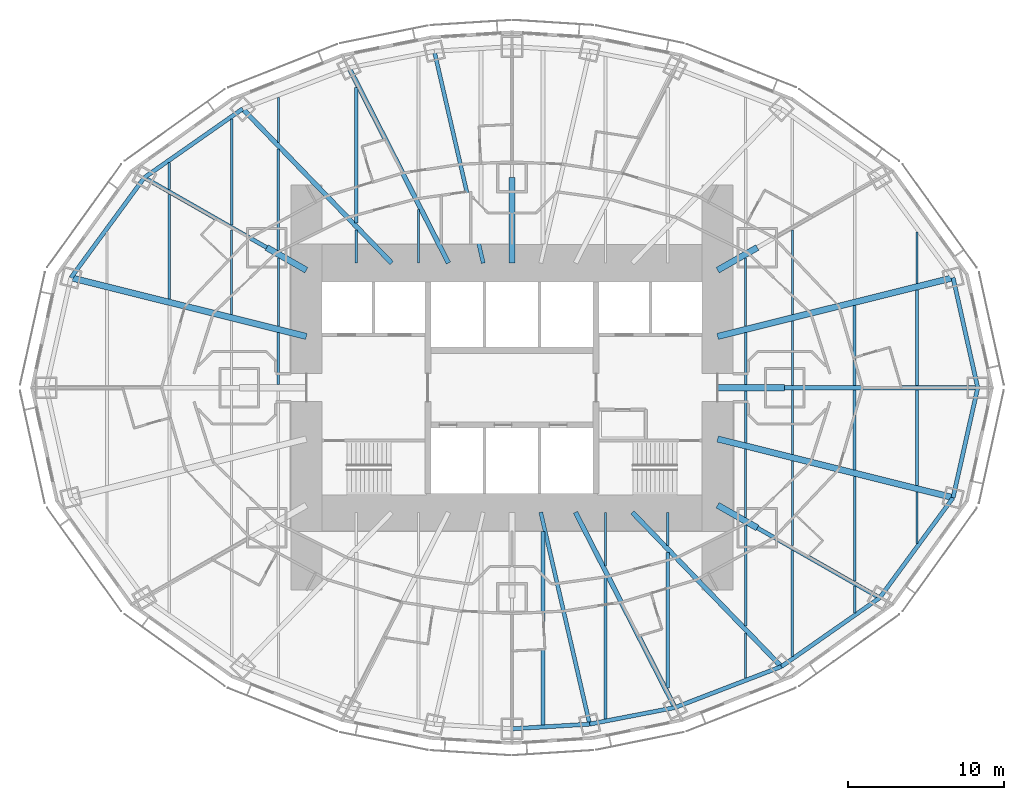
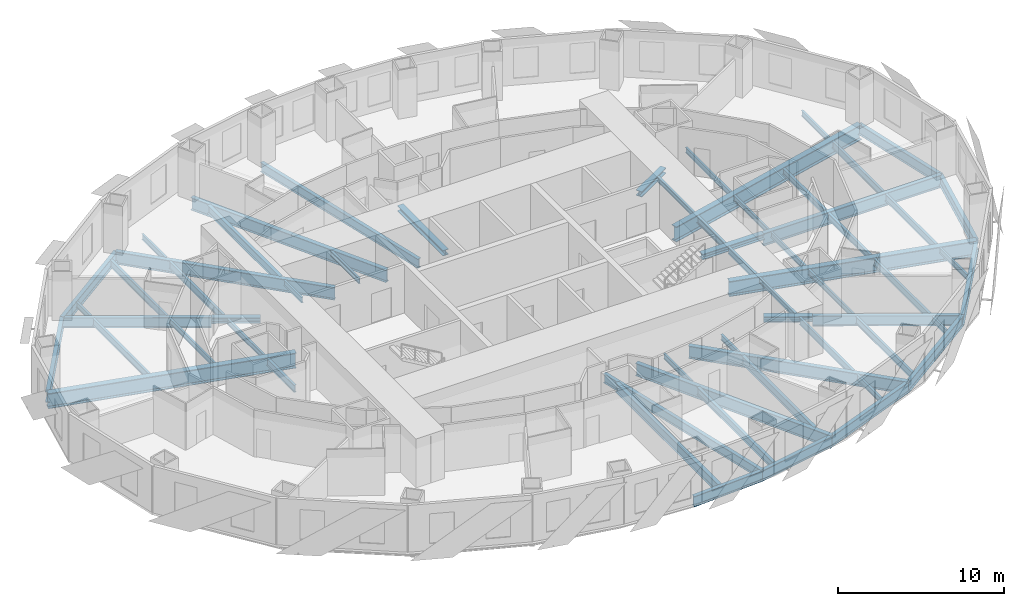
# One storey, part 2 of 15: 61 beams.
"""IFC4 building model written with IfcOpenShell, lengths in metres."""

import ifcopenshell
import ifcopenshell.guid

model = None  # the IFC model being written
_history = None  # IfcOwnerHistory: only IFC2X3 demands one
_inside = {}  # id of a spatial element -> (the spatial element, [elements in it])
_under = {}  # id of a project, library or spatial element -> (it, [spatial elements below it])
_declared = {}  # id of a project -> (the project, [libraries it declares])
_typed = {}  # id of a type object -> (the type object, [elements of that type])
_made_of = {}  # id of a material, layer set ... -> (it, [elements and type objects made of it])


def new_model(schema):
    """Start an empty IFC model of exactly this schema.

    Asked for "IFC4X3", IfcOpenShell would pick the latest addendum, in which some entities
    have other attributes; the version numbers below select the first issue.
    IFC2X3 requires an IfcOwnerHistory on every rooted entity: one is made here for all.
    """
    global model, _history
    if schema == "IFC4X3":
        model = ifcopenshell.file(schema_version=(4, 3, 0, 0))
    else:
        model = ifcopenshell.file(schema=schema)
    _inside.clear()
    _under.clear()
    _declared.clear()
    _typed.clear()
    _made_of.clear()
    _history = None
    if model.schema == "IFC2X3":
        org = make("IfcOrganization", Name="unknown")
        user = make(
            "IfcPersonAndOrganization",
            ThePerson=make("IfcPerson", FamilyName="unknown"),
            TheOrganization=org,
        )
        app = make(
            "IfcApplication",
            ApplicationDeveloper=org,
            Version="unknown",
            ApplicationFullName="unknown",
            ApplicationIdentifier="unknown",
        )
        _history = make(
            "IfcOwnerHistory",
            OwningUser=user,
            OwningApplication=app,
            ChangeAction="ADDED",
            CreationDate=0,
        )
    return model


def make(cls, **values):
    """One entity of the class cls with the attributes given. An attribute that is None is left unset."""
    return model.create_entity(
        cls, **{name: value for name, value in values.items() if value is not None}
    )


def rooted(cls, **values):
    """An entity with a GlobalId (a new one), such as an element, a storey or a relation."""
    return make(cls, GlobalId=ifcopenshell.guid.new(), OwnerHistory=_history, **values)


def si_unit(unit_type, name, prefix=None):
    """IfcSIUnit, for example si_unit("LENGTHUNIT", "METRE", prefix="MILLI")."""
    return make("IfcSIUnit", UnitType=unit_type, Prefix=prefix, Name=name)


def assignment(units):
    """IfcUnitAssignment: the units of a project."""
    return None if units is None else make("IfcUnitAssignment", Units=units)


def point(xyz):
    """IfcCartesianPoint."""
    return None if xyz is None else make("IfcCartesianPoint", Coordinates=xyz)


def direction(xyz):
    """IfcDirection."""
    return None if xyz is None else make("IfcDirection", DirectionRatios=xyz)


def frame(location, z_axis=None, x_axis=None):
    """IfcAxis2Placement3D, a coordinate frame: its origin and axes. An axis left out is left unset."""
    return make(
        "IfcAxis2Placement3D",
        Location=point(location),
        Axis=direction(z_axis),
        RefDirection=direction(x_axis),
    )


def frame_2d(location, x_axis=None):
    """IfcAxis2Placement2D, a coordinate frame in the plane: its origin and x axis."""
    return make(
        "IfcAxis2Placement2D", Location=point(location), RefDirection=direction(x_axis)
    )


def origin():
    """The frame at (0, 0, 0) with its axes left unset."""
    return frame((0.0, 0.0, 0.0))


def origin_2d():
    """The frame at (0, 0) in the plane with its x axis left unset."""
    return frame_2d((0.0, 0.0))


def place(relative_to, where):
    """IfcLocalPlacement: puts the frame where relative to a parent placement (None: the world)."""
    return make(
        "IfcLocalPlacement", PlacementRelTo=relative_to, RelativePlacement=where
    )


def context(
    kind, dimensions, precision=None, world=None, true_north=None, identifier=None
):
    """IfcGeometricRepresentationContext, for example the 3D "Model" context."""
    return make(
        "IfcGeometricRepresentationContext",
        ContextIdentifier=identifier,
        ContextType=kind,
        CoordinateSpaceDimension=dimensions,
        Precision=precision,
        WorldCoordinateSystem=world,
        TrueNorth=true_north,
    )


def subcontext(parent, identifier, kind, view, scale=None):
    """IfcGeometricRepresentationSubContext, for example "Body" below "Model"."""
    return make(
        "IfcGeometricRepresentationSubContext",
        ContextIdentifier=identifier,
        ContextType=kind,
        ParentContext=parent,
        TargetScale=scale,
        TargetView=view,
    )


def project(units=None, contexts=None):
    """IfcProject with its units and contexts."""
    return rooted(
        "IfcProject",
        Name="project",
        RepresentationContexts=contexts,
        UnitsInContext=assignment(units),
    )


def spatial(cls, under=None, at=None, **own):
    """A site, building, storey or space (cls), placed at a placement, below another one or the project."""
    s = rooted(cls, ObjectPlacement=at, **own)
    if under is not None:
        _under.setdefault(under.id(), (under, []))[1].append(s)
    return s


def profile(cls, at=None, kind="AREA", **sizes):
    """A parametric profile (cls). Its sizes go by their IFC names, for example OverallWidth=200.0."""
    return make(cls, ProfileType=kind, Position=at, **sizes)


def i_section(**sizes):
    """IfcIShapeProfileDef."""
    return profile("IfcIShapeProfileDef", **sizes)


def extrude(swept, where, along, depth):
    """IfcExtrudedAreaSolid: the profile swept, set in the frame where, extruded along a direction by depth."""
    return make(
        "IfcExtrudedAreaSolid",
        SweptArea=swept,
        Position=where,
        ExtrudedDirection=direction(along),
        Depth=depth,
    )


def shape(context_of_items, identifier, shape_type, items):
    """IfcShapeRepresentation: the items that make up one representation, for example the "Body"."""
    return make(
        "IfcShapeRepresentation",
        ContextOfItems=context_of_items,
        RepresentationIdentifier=identifier,
        RepresentationType=shape_type,
        Items=items,
    )


def material(Name=None, Category=None):
    """IfcMaterial."""
    return make("IfcMaterial", Name=Name, Category=Category)


def material_profile(
    of_material, cross_section, Name=None, Category=None, Priority=None
):
    """IfcMaterialProfile: a cross section and its material."""
    return make(
        "IfcMaterialProfile",
        Name=Name,
        Material=of_material,
        Profile=cross_section,
        Priority=Priority,
        Category=Category,
    )


def profile_set(profiles, Name=None, composite=None):
    """IfcMaterialProfileSet."""
    return make(
        "IfcMaterialProfileSet",
        Name=Name,
        MaterialProfiles=profiles,
        CompositeProfile=composite,
    )


def made_of(thing, what):
    """Note that an element or type object is made of a material, layer set ...; save() writes the relation."""
    if what is not None:
        _made_of.setdefault(what.id(), (what, []))[1].append(thing)
    return thing


def type_object(cls, material=None, **own):
    """A type object (cls), such as IfcWallType, which elements share."""
    return made_of(rooted(cls, **own), material)


def element(
    cls,
    number,
    at=None,
    inside=None,
    cuts=None,
    type_object=None,
    material=None,
    context=None,
    identifier="Body",
    shape_type=None,
    held_by="IfcProductDefinitionShape",
    body=None,
    shapes=None,
    **own,
):
    """One element of the class cls, such as IfcWall. Its Tag is "e" and its number.

    at: its placement. inside: the storey or other place that contains it. cuts: it is an
    opening in that element (IfcRelVoidsElement). A single representation is given by context,
    identifier, shape_type and body (its items); several are given by shapes. held_by: the class
    of the entity that holds the representations. save() writes the other relations.
    """
    e = rooted(cls, Tag="e%d" % number, ObjectPlacement=at, **own)
    if body is not None:
        shapes = [shape(context, identifier, shape_type, body)]
    if shapes is not None:
        e.Representation = make(held_by, Representations=shapes)
    if inside is not None:
        _inside.setdefault(inside.id(), (inside, []))[1].append(e)
    if cuts is not None:
        rooted(
            "IfcRelVoidsElement", RelatingBuildingElement=cuts, RelatedOpeningElement=e
        )
    if type_object is not None:
        _typed.setdefault(type_object.id(), (type_object, []))[1].append(e)
    return made_of(e, material)


def aggregate(whole, parts):
    """IfcRelAggregates: a whole, such as a stair, and the parts it consists of."""
    return rooted("IfcRelAggregates", RelatingObject=whole, RelatedObjects=parts)


def save(model, path):
    """Write the relations noted so far, then the file.

    IfcRelAggregates (storeys below a building ...), IfcRelContainedInSpatialStructure (elements
    in a storey), IfcRelDefinesByType, IfcRelAssociatesMaterial and IfcRelDeclares: one each for
    every whole, place, type object, material and project.
    """
    for whole, parts in _under.values():
        aggregate(whole, parts)
    for where, things in _inside.values():
        rooted(
            "IfcRelContainedInSpatialStructure",
            RelatedElements=things,
            RelatingStructure=where,
        )
    for kind, things in _typed.values():
        rooted("IfcRelDefinesByType", RelatedObjects=things, RelatingType=kind)
    for what, things in _made_of.values():
        rooted("IfcRelAssociatesMaterial", RelatedObjects=things, RelatingMaterial=what)
    for by, libraries in _declared.values():
        rooted("IfcRelDeclares", RelatingContext=by, RelatedDefinitions=libraries)
    model.write(path)


model = new_model("IFC4")

# Units and contexts
model_context = context("Model", 3, precision=1e-05, world=origin(), true_north=direction((0.0, 1.0)))
body_context = subcontext(model_context, "Body", "Model", "MODEL_VIEW")
ifc_project = project(units=[si_unit("LENGTHUNIT", "METRE"), si_unit("AREAUNIT", "SQUARE_METRE"), si_unit("VOLUMEUNIT", "CUBIC_METRE"), si_unit("PLANEANGLEUNIT", "RADIAN"), si_unit("MASSUNIT", "GRAM", prefix="KILO")], contexts=[model_context])

# Site, building, storey
site_placement = place(None, origin())
site = spatial("IfcSite", under=ifc_project, at=site_placement, CompositionType="ELEMENT")
building_placement = place(site_placement, origin())
building = spatial("IfcBuilding", under=site, at=building_placement, Name="Lantaw Convention Tower", CompositionType="ELEMENT")
storey_placement = place(building_placement, frame((0.0, 0.0, 91.0)))
storey = spatial("IfcBuildingStorey", under=building, at=storey_placement, Name="L21", CompositionType="ELEMENT", Elevation=91.0)

# Beams
ifc_material = material(Name="Steel ASTM A992", Category="steel")
ifc_material_profile_1 = material_profile(ifc_material, i_section(OverallWidth=0.2666015625, OverallDepth=0.76953125, WebThickness=0.015625, FlangeThickness=0.025390625, FilletRadius=0.0126953125, at=origin_2d()), Name="W30X132")
ifc_profile_set_1 = profile_set([ifc_material_profile_1], Name="Steel ASTM A992")
beam_type_1 = type_object("IfcBeamType", Name="Beam E W30X132", PredefinedType="SPANDREL", material=ifc_profile_set_1)
beam_1_placement = place(storey_placement, frame((29.89990234375, 0.0, -0.534912109375), z_axis=(-0.218652184873, 0.975802860239, 0.0), x_axis=(-0.975802860239, -0.218652184873, 0.0)))
element("IfcBeam", 1, at=beam_1_placement, inside=storey, type_object=beam_type_1, Name="Edge beam 1", PredefinedType="SPANDREL", context=body_context, shape_type="SweptSolid", body=[
    extrude(i_section(OverallWidth=0.2666015625, OverallDepth=0.76953125, WebThickness=0.015625, FlangeThickness=0.025390625, FilletRadius=0.0126953125, at=origin_2d()), origin(), (0.0, 0.0, 1.0), 7.2353515625),
])
beam_2_placement = place(storey_placement, frame((-17.290771484375, 17.9052734375, -0.534912109375), z_axis=(-0.81942686407, -0.57318375277, 0.0), x_axis=(0.57318375277, -0.81942686407, 0.0)))
element("IfcBeam", 2, at=beam_2_placement, inside=storey, type_object=beam_type_1, Name="Edge beam 10", PredefinedType="SPANDREL", context=body_context, shape_type="SweptSolid", body=[
    extrude(i_section(OverallWidth=0.2666015625, OverallDepth=0.76953125, WebThickness=0.015625, FlangeThickness=0.025390625, FilletRadius=0.0126953125, at=origin_2d()), origin(), (0.0, 0.0, 1.0), 7.70556640625),
])
beam_3_placement = place(storey_placement, frame((-23.60498046875, 13.488525390625, -0.534912109375), z_axis=(-0.591270709086, -0.806473154281, 0.0), x_axis=(0.806473154281, -0.591270709086, 0.0)))
element("IfcBeam", 3, at=beam_3_placement, inside=storey, type_object=beam_type_1, Name="Edge beam 11", PredefinedType="SPANDREL", context=body_context, shape_type="SweptSolid", body=[
    extrude(i_section(OverallWidth=0.2666015625, OverallDepth=0.76953125, WebThickness=0.015625, FlangeThickness=0.025390625, FilletRadius=0.0126953125, at=origin_2d()), origin(), (0.0, 0.0, 1.0), 7.970703125),
])
beam_4_placement = place(storey_placement, frame((0.0, -21.89990234375, -0.534912109375), z_axis=(0.998173858406, 0.060406526096, 0.0), x_axis=(-0.060406526096, 0.998173858406, 0.0)))
element("IfcBeam", 4, at=beam_4_placement, inside=storey, type_object=beam_type_1, Name="Edge beam 19", PredefinedType="SPANDREL", context=body_context, shape_type="SweptSolid", body=[
    extrude(i_section(OverallWidth=0.2666015625, OverallDepth=0.76953125, WebThickness=0.015625, FlangeThickness=0.025390625, FilletRadius=0.0126953125, at=origin_2d()), origin(), (0.0, 0.0, 1.0), 4.995361328125),
])
beam_5_placement = place(storey_placement, frame((4.986328125, -21.59814453125, -0.534912109375), z_axis=(0.981636565323, 0.190760723474, 0.0), x_axis=(-0.190760723474, 0.981636565323, 0.0)))
element("IfcBeam", 5, at=beam_5_placement, inside=storey, type_object=beam_type_1, Name="Edge beam 20", PredefinedType="SPANDREL", context=body_context, shape_type="SweptSolid", body=[
    extrude(i_section(OverallWidth=0.2666015625, OverallDepth=0.76953125, WebThickness=0.015625, FlangeThickness=0.025390625, FilletRadius=0.0126953125, at=origin_2d()), origin(), (0.0, 0.0, 1.0), 5.578857421875),
])
beam_6_placement = place(storey_placement, frame((10.462646484375, -20.533935546875, -0.534912109375), z_axis=(0.933232900641, 0.359271976588, 0.0), x_axis=(-0.359271976588, 0.933232900641, 0.0)))
element("IfcBeam", 6, at=beam_6_placement, inside=storey, type_object=beam_type_1, Name="Edge beam 21", PredefinedType="SPANDREL", context=body_context, shape_type="SweptSolid", body=[
    extrude(i_section(OverallWidth=0.2666015625, OverallDepth=0.76953125, WebThickness=0.015625, FlangeThickness=0.025390625, FilletRadius=0.0126953125, at=origin_2d()), origin(), (0.0, 0.0, 1.0), 7.316650390625),
])
beam_7_placement = place(storey_placement, frame((17.290771484375, -17.9052734375, -0.534912109375), z_axis=(0.81942686407, 0.57318375277, 0.0), x_axis=(-0.57318375277, 0.81942686407, 0.0)))
element("IfcBeam", 7, at=beam_7_placement, inside=storey, type_object=beam_type_1, Name="Edge beam 22", PredefinedType="SPANDREL", context=body_context, shape_type="SweptSolid", body=[
    extrude(i_section(OverallWidth=0.2666015625, OverallDepth=0.76953125, WebThickness=0.015625, FlangeThickness=0.025390625, FilletRadius=0.0126953125, at=origin_2d()), origin(), (0.0, 0.0, 1.0), 7.70556640625),
])
beam_8_placement = place(storey_placement, frame((23.60498046875, -13.488525390625, -0.534912109375), z_axis=(0.591270709086, 0.806473154281, 0.0), x_axis=(-0.806473154281, 0.591270709086, 0.0)))
element("IfcBeam", 8, at=beam_8_placement, inside=storey, type_object=beam_type_1, Name="Edge beam 23", PredefinedType="SPANDREL", context=body_context, shape_type="SweptSolid", body=[
    extrude(i_section(OverallWidth=0.2666015625, OverallDepth=0.76953125, WebThickness=0.015625, FlangeThickness=0.025390625, FilletRadius=0.0126953125, at=origin_2d()), origin(), (0.0, 0.0, 1.0), 7.970703125),
])
beam_9_placement = place(storey_placement, frame((28.31787109375, -7.060302734375, -0.534912109375), z_axis=(0.218652184873, 0.975802860239, 0.0), x_axis=(-0.975802860239, 0.218652184873, 0.0)))
element("IfcBeam", 9, at=beam_9_placement, inside=storey, type_object=beam_type_1, Name="Edge beam 24", PredefinedType="SPANDREL", context=body_context, shape_type="SweptSolid", body=[
    extrude(i_section(OverallWidth=0.2666015625, OverallDepth=0.76953125, WebThickness=0.015625, FlangeThickness=0.025390625, FilletRadius=0.0126953125, at=origin_2d()), origin(), (0.0, 0.0, 1.0), 7.2353515625),
])
ifc_material_profile_2 = material_profile(ifc_material, i_section(OverallWidth=0.25390625, OverallDepth=0.683349609375, WebThickness=0.012451171875, FlangeThickness=0.01904296875, FilletRadius=0.01513671875, at=origin_2d()), Name="W27X94")
ifc_profile_set_2 = profile_set([ifc_material_profile_2], Name="Steel ASTM A992")
beam_type_2 = type_object("IfcBeamType", Name="Beam G W27X94", PredefinedType="BEAM", material=ifc_profile_set_2)
for number, where, z_axis, x_axis, name in (
    (10, (-1.846923828125, 8.0, -0.49169921875), (-0.224952773175, 0.97436966796, 0.0), (-0.97436966796, -0.224952773175, 0.0), "Floor girder on ray 8"),
    (11, (1.846923828125, -8.0, -0.49169921875), (0.224952773175, -0.97436966796, 0.0), (0.97436966796, 0.224952773175, 0.0), "Floor girder on ray 20"),
):
    element("IfcBeam", number, at=place(storey_placement, frame(where, z_axis=z_axis, x_axis=x_axis)), inside=storey, type_object=beam_type_2, Name=name, PredefinedType="BEAM", context=body_context, shape_type="SweptSolid", body=[
        extrude(i_section(OverallWidth=0.25390625, OverallDepth=0.683349609375, WebThickness=0.012451171875, FlangeThickness=0.01904296875, FilletRadius=0.01513671875, at=origin_2d()), origin(), (0.0, 0.0, 1.0), 13.955810546875),
    ])
ifc_material_profile_3 = material_profile(ifc_material, i_section(OverallWidth=0.2666015625, OverallDepth=0.7568359375, WebThickness=0.013916015625, FlangeThickness=0.019287109375, FilletRadius=0.0126953125, at=origin_2d()), Name="W30X108")
ifc_profile_set_3 = profile_set([ifc_material_profile_3], Name="Steel ASTM A992")
beam_type_3 = type_object("IfcBeamType", Name="Beam G W30X108", PredefinedType="BEAM", material=ifc_profile_set_3)
for number, where, z_axis, x_axis, name in (
    (12, (-15.75, 9.0, -0.528564453125), (-0.868244802791, 0.496136032179, 0.0), (-0.496136032179, -0.868244802791, 0.0), "Floor girder on ray 11"),
    (13, (15.75, -9.0, -0.528564453125), (0.868244802791, -0.496136032179, 0.0), (0.496136032179, 0.868244802791, 0.0), "Floor girder on ray 23"),
):
    element("IfcBeam", number, at=place(storey_placement, frame(where, z_axis=z_axis, x_axis=x_axis)), inside=storey, type_object=beam_type_3, Name=name, PredefinedType="BEAM", context=body_context, shape_type="SweptSolid", body=[
        extrude(i_section(OverallWidth=0.2666015625, OverallDepth=0.7568359375, WebThickness=0.013916015625, FlangeThickness=0.019287109375, FilletRadius=0.0126953125, at=origin_2d()), origin(), (0.0, 0.0, 1.0), 9.046875),
    ])
ifc_material_profile_4 = material_profile(ifc_material, i_section(OverallWidth=0.307373046875, OverallDepth=0.922119140625, WebThickness=0.018310546875, FlangeThickness=0.030029296875, FilletRadius=0.0126953125, at=origin_2d()), Name="W36X182")
ifc_profile_set_4 = profile_set([ifc_material_profile_4], Name="Steel ASTM A992")
beam_type_4 = type_object("IfcBeamType", Name="Beam G W36X182", PredefinedType="BEAM", material=ifc_profile_set_4)
beam_10_placement = place(storey_placement, frame((17.5, 0.0, -0.611083984375), z_axis=(1.0, 0.0, 0.0), x_axis=(0.0, 1.0, 0.0)))
element("IfcBeam", 14, at=beam_10_placement, inside=storey, type_object=beam_type_4, Name="Floor girder on ray 1", PredefinedType="BEAM", context=body_context, shape_type="SweptSolid", body=[
    extrude(i_section(OverallWidth=0.307373046875, OverallDepth=0.922119140625, WebThickness=0.018310546875, FlangeThickness=0.030029296875, FilletRadius=0.0126953125, at=origin_2d()), origin(), (0.0, 0.0, 1.0), 12.39990234375),
])
beam_11_placement = place(storey_placement, frame((-4.076171875, 8.0, -0.611083984375), z_axis=(-0.453997016122, 0.891003203896, 0.0), x_axis=(-0.891003203896, -0.453997016122, 0.0)))
element("IfcBeam", 15, at=beam_11_placement, inside=storey, type_object=beam_type_4, Name="Floor girder on ray 9", PredefinedType="BEAM", context=body_context, shape_type="SweptSolid", body=[
    extrude(i_section(OverallWidth=0.307373046875, OverallDepth=0.922119140625, WebThickness=0.018310546875, FlangeThickness=0.030029296875, FilletRadius=0.0126953125, at=origin_2d()), origin(), (0.0, 0.0, 1.0), 14.067138671875),
])
beam_12_placement = place(storey_placement, frame((-7.7255859375, 8.0, -0.611083984375), z_axis=(-0.694649884291, 0.719347995239, 0.0), x_axis=(-0.719347995239, -0.694649884291, 0.0)))
element("IfcBeam", 16, at=beam_12_placement, inside=storey, type_object=beam_type_4, Name="Floor girder on ray 10", PredefinedType="BEAM", context=body_context, shape_type="SweptSolid", body=[
    extrude(i_section(OverallWidth=0.307373046875, OverallDepth=0.922119140625, WebThickness=0.018310546875, FlangeThickness=0.030029296875, FilletRadius=0.0126953125, at=origin_2d()), origin(), (0.0, 0.0, 1.0), 13.769775390625),
])
beam_13_placement = place(storey_placement, frame((4.076171875, -8.0, -0.611083984375), z_axis=(0.453997016122, -0.891003203896, 0.0), x_axis=(0.891003203896, 0.453997016122, 0.0)))
element("IfcBeam", 17, at=beam_13_placement, inside=storey, type_object=beam_type_4, Name="Floor girder on ray 21", PredefinedType="BEAM", context=body_context, shape_type="SweptSolid", body=[
    extrude(i_section(OverallWidth=0.307373046875, OverallDepth=0.922119140625, WebThickness=0.018310546875, FlangeThickness=0.030029296875, FilletRadius=0.0126953125, at=origin_2d()), origin(), (0.0, 0.0, 1.0), 14.067138671875),
])
beam_14_placement = place(storey_placement, frame((7.7255859375, -8.0, -0.611083984375), z_axis=(0.694649884291, -0.719347995239, 0.0), x_axis=(0.719347995239, 0.694649884291, 0.0)))
element("IfcBeam", 18, at=beam_14_placement, inside=storey, type_object=beam_type_4, Name="Floor girder on ray 22", PredefinedType="BEAM", context=body_context, shape_type="SweptSolid", body=[
    extrude(i_section(OverallWidth=0.307373046875, OverallDepth=0.922119140625, WebThickness=0.018310546875, FlangeThickness=0.030029296875, FilletRadius=0.0126953125, at=origin_2d()), origin(), (0.0, 0.0, 1.0), 13.769775390625),
])
ifc_material_profile_5 = material_profile(ifc_material, i_section(OverallWidth=0.40380859375, OverallDepth=1.11767578125, WebThickness=0.026123046875, FlangeThickness=0.044921875, FilletRadius=0.02001953125, at=origin_2d()), Name="W44X335")
ifc_profile_set_5 = profile_set([ifc_material_profile_5], Name="Steel ASTM A992")
beam_type_5 = type_object("IfcBeamType", Name="Beam G W44X335", PredefinedType="BEAM", material=ifc_profile_set_5)
for number, where, z_axis, x_axis, name in (
    (19, (13.199951171875, 3.291015625, -0.708740234375), (0.970296233567, 0.241919860957, 0.0), (-0.241919860957, 0.970296233567, 0.0), "Floor girder on ray 2"),
    (20, (-13.199951171875, 3.291015625, -0.708740234375), (-0.970296233567, 0.241919860957, 0.0), (-0.241919860957, -0.970296233567, 0.0), "Floor girder on ray 12"),
    (21, (13.199951171875, -3.291015625, -0.708740234375), (0.970296233567, -0.241919860957, 0.0), (0.241919860957, 0.970296233567, 0.0), "Floor girder on ray 24"),
):
    element("IfcBeam", number, at=place(storey_placement, frame(where, z_axis=z_axis, x_axis=x_axis)), inside=storey, type_object=beam_type_5, Name=name, PredefinedType="BEAM", context=body_context, shape_type="SweptSolid", body=[
        extrude(i_section(OverallWidth=0.40380859375, OverallDepth=1.11767578125, WebThickness=0.026123046875, FlangeThickness=0.044921875, FilletRadius=0.02001953125, at=origin_2d()), origin(), (0.0, 0.0, 1.0), 15.580810546875),
    ])
ifc_material_profile_6 = material_profile(ifc_material, i_section(OverallWidth=0.40380859375, OverallDepth=0.406494140625, WebThickness=0.027099609375, FlangeThickness=0.043701171875, FilletRadius=0.01513671875, at=origin_2d()), Name="W14X233")
ifc_profile_set_6 = profile_set([ifc_material_profile_6], Name="Steel ASTM A992")
beam_type_6 = type_object("IfcBeamType", Name="Beam GM W14X233", PredefinedType="BEAM", material=ifc_profile_set_6)
beam_15_placement = place(storey_placement, frame((13.199951171875, 0.0, -0.353271484375), z_axis=(1.0, 0.0, 0.0), x_axis=(0.0, 1.0, 0.0)))
element("IfcBeam", 22, at=beam_15_placement, inside=storey, type_object=beam_type_6, Name="Core link beam on ray 1", PredefinedType="BEAM", context=body_context, shape_type="SweptSolid", body=[
    extrude(i_section(OverallWidth=0.40380859375, OverallDepth=0.406494140625, WebThickness=0.027099609375, FlangeThickness=0.043701171875, FilletRadius=0.01513671875, at=origin_2d()), origin(), (0.0, 0.0, 1.0), 4.300048828125),
])
beam_16_placement = place(storey_placement, frame((13.199951171875, 7.54296875, -0.353271484375), z_axis=(0.868263603466, 0.496103129295, 0.0), x_axis=(-0.496103129295, 0.868263603466, 0.0)))
element("IfcBeam", 23, at=beam_16_placement, inside=storey, type_object=beam_type_6, Name="Core link beam on ray 3", PredefinedType="BEAM", context=body_context, shape_type="SweptSolid", body=[
    extrude(i_section(OverallWidth=0.40380859375, OverallDepth=0.406494140625, WebThickness=0.027099609375, FlangeThickness=0.043701171875, FilletRadius=0.01513671875, at=origin_2d()), origin(), (0.0, 0.0, 1.0), 2.93701171875),
])
beam_17_placement = place(storey_placement, frame((0.0, 8.0, -0.353271484375), z_axis=(0.0, 1.0, 0.0), x_axis=(-1.0, 0.0, 0.0)))
element("IfcBeam", 24, at=beam_17_placement, inside=storey, type_object=beam_type_6, Name="Core link beam on ray 7", PredefinedType="BEAM", context=body_context, shape_type="SweptSolid", body=[
    extrude(i_section(OverallWidth=0.40380859375, OverallDepth=0.406494140625, WebThickness=0.027099609375, FlangeThickness=0.043701171875, FilletRadius=0.01513671875, at=origin_2d()), origin(), (0.0, 0.0, 1.0), 5.5),
])
for number, where, z_axis, x_axis, name in (
    (25, (-13.199951171875, 7.54296875, -0.353271484375), (-0.868263603466, 0.496103129295, 0.0), (-0.496103129295, -0.868263603466, 0.0), "Core link beam on ray 11"),
    (26, (13.199951171875, -7.54296875, -0.353271484375), (0.868263603466, -0.496103129295, 0.0), (0.496103129295, 0.868263603466, 0.0), "Core link beam on ray 23"),
):
    element("IfcBeam", number, at=place(storey_placement, frame(where, z_axis=z_axis, x_axis=x_axis)), inside=storey, type_object=beam_type_6, Name=name, PredefinedType="BEAM", context=body_context, shape_type="SweptSolid", body=[
        extrude(i_section(OverallWidth=0.40380859375, OverallDepth=0.406494140625, WebThickness=0.027099609375, FlangeThickness=0.043701171875, FilletRadius=0.01513671875, at=origin_2d()), origin(), (0.0, 0.0, 1.0), 2.93701171875),
    ])
ifc_material_profile_7 = material_profile(ifc_material, i_section(OverallWidth=0.140380859375, OverallDepth=0.40380859375, WebThickness=0.007080078125, FlangeThickness=0.01123046875, FilletRadius=0.01025390625, at=origin_2d()), Name="W16X31")
ifc_profile_set_7 = profile_set([ifc_material_profile_7], Name="Steel ASTM A992")
beam_type_7 = type_object("IfcBeamType", Name="Beam J W16X31", PredefinedType="JOIST", material=ifc_profile_set_7)
beam_18_placement = place(storey_placement, frame((-22.0, 12.72509765625, -0.35205078125), z_axis=(0.0, 1.0, 0.0), x_axis=(-1.0, 0.0, 0.0)))
element("IfcBeam", 27, at=beam_18_placement, inside=storey, type_object=beam_type_7, Name="Floor joist", PredefinedType="JOIST", context=body_context, shape_type="SweptSolid", body=[
    extrude(i_section(OverallWidth=0.140380859375, OverallDepth=0.40380859375, WebThickness=0.007080078125, FlangeThickness=0.01123046875, FilletRadius=0.01025390625, at=origin_2d()), origin(), (0.0, 0.0, 1.0), 1.723388671875),
])
beam_19_placement = place(storey_placement, frame((-18.0, 4.696044921875, -0.35205078125), z_axis=(0.0, 1.0, 0.0), x_axis=(-1.0, 0.0, 0.0)))
element("IfcBeam", 28, at=beam_19_placement, inside=storey, type_object=beam_type_7, Name="Floor joist", PredefinedType="JOIST", context=body_context, shape_type="SweptSolid", body=[
    extrude(i_section(OverallWidth=0.140380859375, OverallDepth=0.40380859375, WebThickness=0.007080078125, FlangeThickness=0.01123046875, FilletRadius=0.01025390625, at=origin_2d()), origin(), (0.0, 0.0, 1.0), 5.43603515625),
])
beam_20_placement = place(storey_placement, frame((-15.0, 3.947998046875, -0.35205078125), z_axis=(0.0, 1.0, 0.0), x_axis=(-1.0, 0.0, 0.0)))
element("IfcBeam", 29, at=beam_20_placement, inside=storey, type_object=beam_type_7, Name="Floor joist", PredefinedType="JOIST", context=body_context, shape_type="SweptSolid", body=[
    extrude(i_section(OverallWidth=0.140380859375, OverallDepth=0.40380859375, WebThickness=0.007080078125, FlangeThickness=0.01123046875, FilletRadius=0.01025390625, at=origin_2d()), origin(), (0.0, 0.0, 1.0), 4.390869140625),
])
beam_21_placement = place(storey_placement, frame((-15.0, 15.754150390625, -0.35205078125), z_axis=(0.0, 1.0, 0.0), x_axis=(-1.0, 0.0, 0.0)))
element("IfcBeam", 30, at=beam_21_placement, inside=storey, type_object=beam_type_7, Name="Floor joist", PredefinedType="JOIST", context=body_context, shape_type="SweptSolid", body=[
    extrude(i_section(OverallWidth=0.140380859375, OverallDepth=0.40380859375, WebThickness=0.007080078125, FlangeThickness=0.01123046875, FilletRadius=0.01025390625, at=origin_2d()), origin(), (0.0, 0.0, 1.0), 2.89013671875),
])
beam_22_placement = place(storey_placement, frame((-10.0, 8.0, -0.35205078125), z_axis=(0.0, 1.0, 0.0), x_axis=(-1.0, 0.0, 0.0)))
element("IfcBeam", 31, at=beam_22_placement, inside=storey, type_object=beam_type_7, Name="Floor joist", PredefinedType="JOIST", context=body_context, shape_type="SweptSolid", body=[
    extrude(i_section(OverallWidth=0.140380859375, OverallDepth=0.40380859375, WebThickness=0.007080078125, FlangeThickness=0.01123046875, FilletRadius=0.01025390625, at=origin_2d()), origin(), (0.0, 0.0, 1.0), 2.134033203125),
])
for number, where, z_axis, x_axis, name in (
    (32, (-6.0, 8.0, -0.35205078125), (0.0, 1.0, 0.0), (-1.0, 0.0, 0.0), "Floor joist"),
    (33, (6.0, -11.437255859375, -0.35205078125), (0.0, 1.0, 0.0), (-1.0, 0.0, 0.0), "Floor joist"),
):
    element("IfcBeam", number, at=place(storey_placement, frame(where, z_axis=z_axis, x_axis=x_axis)), inside=storey, type_object=beam_type_7, Name=name, PredefinedType="JOIST", context=body_context, shape_type="SweptSolid", body=[
        extrude(i_section(OverallWidth=0.140380859375, OverallDepth=0.40380859375, WebThickness=0.007080078125, FlangeThickness=0.01123046875, FilletRadius=0.01025390625, at=origin_2d()), origin(), (0.0, 0.0, 1.0), 3.437255859375),
    ])
beam_23_placement = place(storey_placement, frame((10.0, -10.134033203125, -0.35205078125), z_axis=(0.0, 1.0, 0.0), x_axis=(-1.0, 0.0, 0.0)))
element("IfcBeam", 34, at=beam_23_placement, inside=storey, type_object=beam_type_7, Name="Floor joist", PredefinedType="JOIST", context=body_context, shape_type="SweptSolid", body=[
    extrude(i_section(OverallWidth=0.140380859375, OverallDepth=0.40380859375, WebThickness=0.007080078125, FlangeThickness=0.01123046875, FilletRadius=0.01025390625, at=origin_2d()), origin(), (0.0, 0.0, 1.0), 2.134033203125),
])
beam_24_placement = place(storey_placement, frame((15.0, -18.644287109375, -0.35205078125), z_axis=(0.0, 1.0, 0.0), x_axis=(-1.0, 0.0, 0.0)))
element("IfcBeam", 35, at=beam_24_placement, inside=storey, type_object=beam_type_7, Name="Floor joist", PredefinedType="JOIST", context=body_context, shape_type="SweptSolid", body=[
    extrude(i_section(OverallWidth=0.140380859375, OverallDepth=0.40380859375, WebThickness=0.007080078125, FlangeThickness=0.01123046875, FilletRadius=0.01025390625, at=origin_2d()), origin(), (0.0, 0.0, 1.0), 2.89013671875),
])
for number, where, z_axis, x_axis, name in (
    (36, (15.0, -8.3388671875, -0.35205078125), (0.0, 1.0, 0.0), (-1.0, 0.0, 0.0), "Floor joist"),
    (37, (15.0, 3.947998046875, -0.35205078125), (0.0, 1.0, 0.0), (-1.0, 0.0, 0.0), "Floor joist"),
):
    element("IfcBeam", number, at=place(storey_placement, frame(where, z_axis=z_axis, x_axis=x_axis)), inside=storey, type_object=beam_type_7, Name=name, PredefinedType="JOIST", context=body_context, shape_type="SweptSolid", body=[
        extrude(i_section(OverallWidth=0.140380859375, OverallDepth=0.40380859375, WebThickness=0.007080078125, FlangeThickness=0.01123046875, FilletRadius=0.01025390625, at=origin_2d()), origin(), (0.0, 0.0, 1.0), 4.390869140625),
    ])
beam_25_placement = place(storey_placement, frame((18.0, -10.132080078125, -0.35205078125), z_axis=(0.0, 1.0, 0.0), x_axis=(-1.0, 0.0, 0.0)))
element("IfcBeam", 38, at=beam_25_placement, inside=storey, type_object=beam_type_7, Name="Floor joist", PredefinedType="JOIST", context=body_context, shape_type="SweptSolid", body=[
    extrude(i_section(OverallWidth=0.140380859375, OverallDepth=0.40380859375, WebThickness=0.007080078125, FlangeThickness=0.01123046875, FilletRadius=0.01025390625, at=origin_2d()), origin(), (0.0, 0.0, 1.0), 5.43603515625),
])
for number, where, z_axis, x_axis, name in (
    (39, (18.0, -4.27978515625, -0.35205078125), (0.0, 1.0, 0.0), (-1.0, 0.0, 0.0), "Floor joist"),
    (40, (18.0, 0.153564453125, -0.35205078125), (0.0, 1.0, 0.0), (-1.0, 0.0, 0.0), "Floor joist"),
):
    element("IfcBeam", number, at=place(storey_placement, frame(where, z_axis=z_axis, x_axis=x_axis)), inside=storey, type_object=beam_type_7, Name=name, PredefinedType="JOIST", context=body_context, shape_type="SweptSolid", body=[
        extrude(i_section(OverallWidth=0.140380859375, OverallDepth=0.40380859375, WebThickness=0.007080078125, FlangeThickness=0.01123046875, FilletRadius=0.01025390625, at=origin_2d()), origin(), (0.0, 0.0, 1.0), 4.126220703125),
    ])
beam_26_placement = place(storey_placement, frame((18.0, 4.696044921875, -0.35205078125), z_axis=(0.0, 1.0, 0.0), x_axis=(-1.0, 0.0, 0.0)))
element("IfcBeam", 41, at=beam_26_placement, inside=storey, type_object=beam_type_7, Name="Floor joist", PredefinedType="JOIST", context=body_context, shape_type="SweptSolid", body=[
    extrude(i_section(OverallWidth=0.140380859375, OverallDepth=0.40380859375, WebThickness=0.007080078125, FlangeThickness=0.01123046875, FilletRadius=0.01025390625, at=origin_2d()), origin(), (0.0, 0.0, 1.0), 5.43603515625),
])
beam_27_placement = place(storey_placement, frame((22.0, -14.448486328125, -0.35205078125), z_axis=(0.0, 1.0, 0.0), x_axis=(-1.0, 0.0, 0.0)))
element("IfcBeam", 42, at=beam_27_placement, inside=storey, type_object=beam_type_7, Name="Floor joist", PredefinedType="JOIST", context=body_context, shape_type="SweptSolid", body=[
    extrude(i_section(OverallWidth=0.140380859375, OverallDepth=0.40380859375, WebThickness=0.007080078125, FlangeThickness=0.01123046875, FilletRadius=0.01025390625, at=origin_2d()), origin(), (0.0, 0.0, 1.0), 1.723388671875),
])
for number, where, z_axis, x_axis, name in (
    (43, (26.0, -9.996337890625, -0.35205078125), (0.0, 1.0, 0.0), (-1.0, 0.0, 0.0), "Floor joist"),
    (44, (26.0, 6.690673828125, -0.35205078125), (0.0, 1.0, 0.0), (-1.0, 0.0, 0.0), "Floor joist"),
):
    element("IfcBeam", number, at=place(storey_placement, frame(where, z_axis=z_axis, x_axis=x_axis)), inside=storey, type_object=beam_type_7, Name=name, PredefinedType="JOIST", context=body_context, shape_type="SweptSolid", body=[
        extrude(i_section(OverallWidth=0.140380859375, OverallDepth=0.40380859375, WebThickness=0.007080078125, FlangeThickness=0.01123046875, FilletRadius=0.01025390625, at=origin_2d()), origin(), (0.0, 0.0, 1.0), 3.3056640625),
    ])
ifc_material_profile_8 = material_profile(ifc_material, i_section(OverallWidth=0.1904296875, OverallDepth=0.457275390625, WebThickness=0.009033203125, FlangeThickness=0.014404296875, FilletRadius=0.01025390625, at=origin_2d()), Name="W18X50")
ifc_profile_set_8 = profile_set([ifc_material_profile_8], Name="Steel ASTM A992")
beam_type_8 = type_object("IfcBeamType", Name="Beam J W18X50", PredefinedType="JOIST", material=ifc_profile_set_8)
for number, where, z_axis, x_axis, name in (
    (45, (22.0, -5.277099609375, -0.378662109375), (0.0, 1.0, 0.0), (-1.0, 0.0, 0.0), "Floor joist"),
    (46, (22.0, 0.153564453125, -0.378662109375), (0.0, 1.0, 0.0), (-1.0, 0.0, 0.0), "Floor joist"),
):
    element("IfcBeam", number, at=place(storey_placement, frame(where, z_axis=z_axis, x_axis=x_axis)), inside=storey, type_object=beam_type_8, Name=name, PredefinedType="JOIST", context=body_context, shape_type="SweptSolid", body=[
        extrude(i_section(OverallWidth=0.1904296875, OverallDepth=0.457275390625, WebThickness=0.009033203125, FlangeThickness=0.014404296875, FilletRadius=0.01025390625, at=origin_2d()), origin(), (0.0, 0.0, 1.0), 5.12353515625),
    ])
ifc_material_profile_9 = material_profile(ifc_material, i_section(OverallWidth=0.1650390625, OverallDepth=0.52587890625, WebThickness=0.0087890625, FlangeThickness=0.011474609375, FilletRadius=0.0126953125, at=origin_2d()), Name="W21X44")
ifc_profile_set_9 = profile_set([ifc_material_profile_9], Name="Steel ASTM A992")
beam_type_9 = type_object("IfcBeamType", Name="Beam J W21X44", PredefinedType="JOIST", material=ifc_profile_set_9)
beam_28_placement = place(storey_placement, frame((-22.0, 5.693359375, -0.412841796875), z_axis=(0.0, 1.0, 0.0), x_axis=(-1.0, 0.0, 0.0)))
element("IfcBeam", 47, at=beam_28_placement, inside=storey, type_object=beam_type_9, Name="Floor joist", PredefinedType="JOIST", context=body_context, shape_type="SweptSolid", body=[
    extrude(i_section(OverallWidth=0.1650390625, OverallDepth=0.52587890625, WebThickness=0.0087890625, FlangeThickness=0.011474609375, FilletRadius=0.0126953125, at=origin_2d()), origin(), (0.0, 0.0, 1.0), 6.724609375),
])
beam_29_placement = place(storey_placement, frame((-18.0, 10.439208984375, -0.412841796875), z_axis=(0.0, 1.0, 0.0), x_axis=(-1.0, 0.0, 0.0)))
element("IfcBeam", 48, at=beam_29_placement, inside=storey, type_object=beam_type_9, Name="Floor joist", PredefinedType="JOIST", context=body_context, shape_type="SweptSolid", body=[
    extrude(i_section(OverallWidth=0.1650390625, OverallDepth=0.52587890625, WebThickness=0.0087890625, FlangeThickness=0.011474609375, FilletRadius=0.0126953125, at=origin_2d()), origin(), (0.0, 0.0, 1.0), 6.80712890625),
])
for number, where, z_axis, x_axis, name in (
    (49, (-15.0, 8.803955078125, -0.412841796875), (0.0, 1.0, 0.0), (-1.0, 0.0, 0.0), "Floor joist"),
    (50, (15.0, -15.311767578125, -0.412841796875), (0.0, 1.0, 0.0), (-1.0, 0.0, 0.0), "Floor joist"),
):
    element("IfcBeam", number, at=place(storey_placement, frame(where, z_axis=z_axis, x_axis=x_axis)), inside=storey, type_object=beam_type_9, Name=name, PredefinedType="JOIST", context=body_context, shape_type="SweptSolid", body=[
        extrude(i_section(OverallWidth=0.1650390625, OverallDepth=0.52587890625, WebThickness=0.0087890625, FlangeThickness=0.011474609375, FilletRadius=0.0126953125, at=origin_2d()), origin(), (0.0, 0.0, 1.0), 6.5078125),
    ])
beam_30_placement = place(storey_placement, frame((18.0, -17.246337890625, -0.412841796875), z_axis=(0.0, 1.0, 0.0), x_axis=(-1.0, 0.0, 0.0)))
element("IfcBeam", 51, at=beam_30_placement, inside=storey, type_object=beam_type_9, Name="Floor joist", PredefinedType="JOIST", context=body_context, shape_type="SweptSolid", body=[
    extrude(i_section(OverallWidth=0.1650390625, OverallDepth=0.52587890625, WebThickness=0.0087890625, FlangeThickness=0.011474609375, FilletRadius=0.0126953125, at=origin_2d()), origin(), (0.0, 0.0, 1.0), 6.80712890625),
])
beam_31_placement = place(storey_placement, frame((22.0, -12.41796875, -0.412841796875), z_axis=(0.0, 1.0, 0.0), x_axis=(-1.0, 0.0, 0.0)))
element("IfcBeam", 52, at=beam_31_placement, inside=storey, type_object=beam_type_9, Name="Floor joist", PredefinedType="JOIST", context=body_context, shape_type="SweptSolid", body=[
    extrude(i_section(OverallWidth=0.1650390625, OverallDepth=0.52587890625, WebThickness=0.0087890625, FlangeThickness=0.011474609375, FilletRadius=0.0126953125, at=origin_2d()), origin(), (0.0, 0.0, 1.0), 6.724609375),
])
ifc_material_profile_10 = material_profile(ifc_material, i_section(OverallWidth=0.165771484375, OverallDepth=0.5283203125, WebThickness=0.009765625, FlangeThickness=0.013671875, FilletRadius=0.012939453125, at=origin_2d()), Name="W21X50")
ifc_profile_set_10 = profile_set([ifc_material_profile_10], Name="Steel ASTM A992")
beam_type_10 = type_object("IfcBeamType", Name="Beam J W21X50", PredefinedType="JOIST", material=ifc_profile_set_10)
for number, where, z_axis, x_axis, name in (
    (53, (-15.0, 0.201904296875, -0.4140625), (0.0, 1.0, 0.0), (-1.0, 0.0, 0.0), "Floor joist"),
    (54, (15.0, -3.53173828125, -0.4140625), (0.0, 1.0, 0.0), (-1.0, 0.0, 0.0), "Floor joist"),
    (55, (15.0, 0.201904296875, -0.4140625), (0.0, 1.0, 0.0), (-1.0, 0.0, 0.0), "Floor joist"),
):
    element("IfcBeam", number, at=place(storey_placement, frame(where, z_axis=z_axis, x_axis=x_axis)), inside=storey, type_object=beam_type_10, Name=name, PredefinedType="JOIST", context=body_context, shape_type="SweptSolid", body=[
        extrude(i_section(OverallWidth=0.165771484375, OverallDepth=0.5283203125, WebThickness=0.009765625, FlangeThickness=0.013671875, FilletRadius=0.012939453125, at=origin_2d()), origin(), (0.0, 0.0, 1.0), 3.329833984375),
    ])
for number, where, z_axis, x_axis, name in (
    (56, (26.0, -6.2744140625, -0.4140625), (0.0, 1.0, 0.0), (-1.0, 0.0, 0.0), "Floor joist"),
    (57, (26.0, 0.153564453125, -0.4140625), (0.0, 1.0, 0.0), (-1.0, 0.0, 0.0), "Floor joist"),
):
    element("IfcBeam", number, at=place(storey_placement, frame(where, z_axis=z_axis, x_axis=x_axis)), inside=storey, type_object=beam_type_10, Name=name, PredefinedType="JOIST", context=body_context, shape_type="SweptSolid", body=[
        extrude(i_section(OverallWidth=0.165771484375, OverallDepth=0.5283203125, WebThickness=0.009765625, FlangeThickness=0.013671875, FilletRadius=0.012939453125, at=origin_2d()), origin(), (0.0, 0.0, 1.0), 6.120849609375),
    ])
ifc_material_profile_11 = material_profile(ifc_material, i_section(OverallWidth=0.2099609375, OverallDepth=0.535888671875, WebThickness=0.010986328125, FlangeThickness=0.017333984375, FilletRadius=0.012939453125, at=origin_2d()), Name="W21X68")
ifc_profile_set_11 = profile_set([ifc_material_profile_11], Name="Steel ASTM A992")
beam_type_11 = type_object("IfcBeamType", Name="Beam J W21X68", PredefinedType="JOIST", material=ifc_profile_set_11)
beam_32_placement = place(storey_placement, frame((6.0, -21.26513671875, -0.41796875), z_axis=(0.0, 1.0, 0.0), x_axis=(-1.0, 0.0, 0.0)))
element("IfcBeam", 58, at=beam_32_placement, inside=storey, type_object=beam_type_11, Name="Floor joist", PredefinedType="JOIST", context=body_context, shape_type="SweptSolid", body=[
    extrude(i_section(OverallWidth=0.2099609375, OverallDepth=0.535888671875, WebThickness=0.010986328125, FlangeThickness=0.017333984375, FilletRadius=0.012939453125, at=origin_2d()), origin(), (0.0, 0.0, 1.0), 9.15087890625),
])
ifc_material_profile_12 = material_profile(ifc_material, i_section(OverallWidth=0.227783203125, OverallDepth=0.60205078125, WebThickness=0.010498046875, FlangeThickness=0.014892578125, FilletRadius=0.012939453125, at=origin_2d()), Name="W24X68")
ifc_profile_set_12 = profile_set([ifc_material_profile_12], Name="Steel ASTM A992")
beam_type_12 = type_object("IfcBeamType", Name="Beam J W24X68", PredefinedType="JOIST", material=ifc_profile_set_12)
for number, where, z_axis, x_axis, name in (
    (59, (-10.0, 10.576416015625, -0.450927734375), (0.0, 1.0, 0.0), (-1.0, 0.0, 0.0), "Floor joist"),
    (60, (10.0, -19.28759765625, -0.450927734375), (0.0, 1.0, 0.0), (-1.0, 0.0, 0.0), "Floor joist"),
):
    element("IfcBeam", number, at=place(storey_placement, frame(where, z_axis=z_axis, x_axis=x_axis)), inside=storey, type_object=beam_type_12, Name=name, PredefinedType="JOIST", context=body_context, shape_type="SweptSolid", body=[
        extrude(i_section(OverallWidth=0.227783203125, OverallDepth=0.60205078125, WebThickness=0.010498046875, FlangeThickness=0.014892578125, FilletRadius=0.012939453125, at=origin_2d()), origin(), (0.0, 0.0, 1.0), 8.711181640625),
    ])
ifc_material_profile_13 = material_profile(ifc_material, i_section(OverallWidth=0.25390625, OverallDepth=0.700927734375, WebThickness=0.015380859375, FlangeThickness=0.02783203125, FilletRadius=0.01513671875, at=origin_2d()), Name="W27X129")
ifc_profile_set_13 = profile_set([ifc_material_profile_13], Name="Steel ASTM A992")
beam_type_13 = type_object("IfcBeamType", Name="Beam J W27X129", PredefinedType="JOIST", material=ifc_profile_set_13)
beam_33_placement = place(storey_placement, frame((2.0, -21.645263671875, -0.50048828125), z_axis=(0.0, 1.0, 0.0), x_axis=(-1.0, 0.0, 0.0)))
element("IfcBeam", 61, at=beam_33_placement, inside=storey, type_object=beam_type_13, Name="Floor joist", PredefinedType="JOIST", context=body_context, shape_type="SweptSolid", body=[
    extrude(i_section(OverallWidth=0.25390625, OverallDepth=0.700927734375, WebThickness=0.015380859375, FlangeThickness=0.02783203125, FilletRadius=0.01513671875, at=origin_2d()), origin(), (0.0, 0.0, 1.0), 12.417724609375),
])

save(model, "model.ifc")
